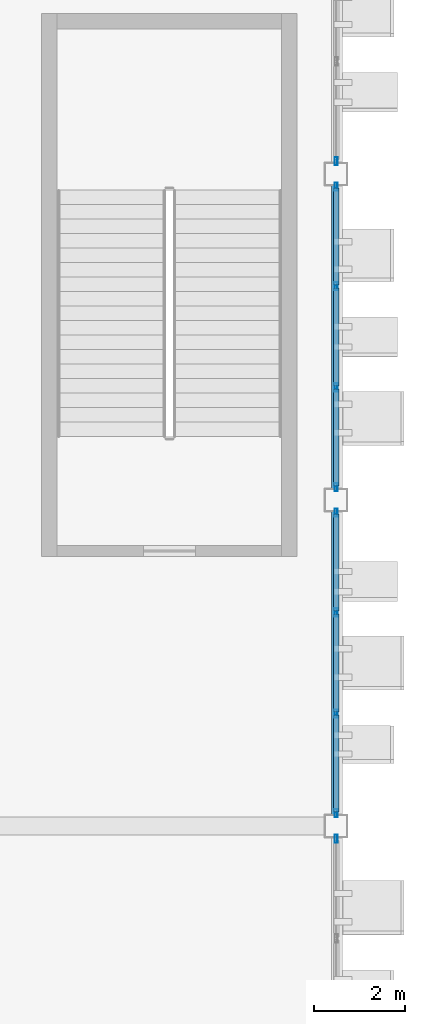
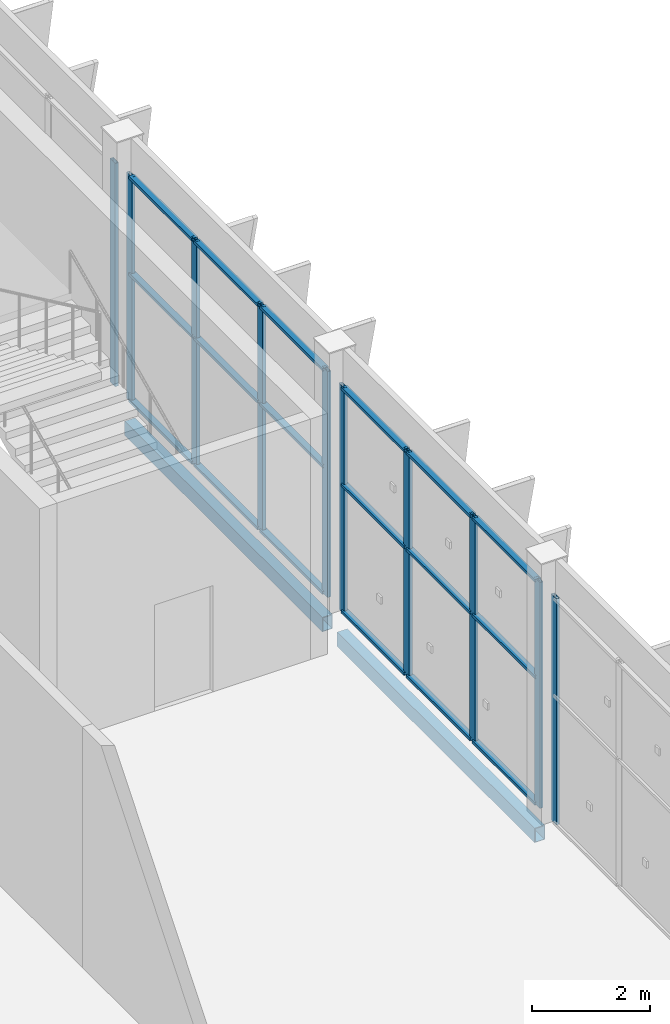
# One storey, part 109 of 189: 28 members, 2 beams, 4 elements without a shape of their own.
"""IFC4 building model written with IfcOpenShell, lengths in metres."""

from ifc_helpers import new_model, si_unit, direction, frame, origin, origin_2d, place, context, subcontext, project, spatial, hollow_rectangle, extrude, material, layer, layer_set, material_profile, profile_set, type_object, element, aggregate, save


model = new_model("IFC4")

# Units and contexts
model_context = context("Model", 3, precision=1e-05, world=origin(), true_north=direction((0.0, 1.0)))
body_context = subcontext(model_context, "Body", "Model", "MODEL_VIEW")
ifc_project = project(units=[si_unit("LENGTHUNIT", "METRE"), si_unit("AREAUNIT", "SQUARE_METRE"), si_unit("VOLUMEUNIT", "CUBIC_METRE"), si_unit("PLANEANGLEUNIT", "RADIAN"), si_unit("MASSUNIT", "GRAM", prefix="KILO")], contexts=[model_context])

# Site, building, storey
site_placement = place(None, origin())
site = spatial("IfcSite", under=ifc_project, at=site_placement, CompositionType="ELEMENT")
building_placement = place(site_placement, origin())
building = spatial("IfcBuilding", under=site, at=building_placement, Name="Celestram Park Convention Centre", CompositionType="ELEMENT")
storey_placement = place(building_placement, frame((0.0, 0.0, 5.39990234375)))
storey = spatial("IfcBuildingStorey", under=building, at=storey_placement, Name="L01", CompositionType="ELEMENT", Elevation=5.39990234375)

# Curtain wall, member
ifc_material_1 = material(Name="Anodised Aluminium Alloy 6063-T6", Category="aluminium")
ifc_layer_1 = layer(ifc_material_1, 0.179931640625)
ifc_layer_set_1 = layer_set([ifc_layer_1], Name="Anodised Aluminium Alloy 6063-T6")
curtain_wall_type_1 = type_object("IfcCurtainWallType", Name="ARC-CW-670X462", PredefinedType="NOTDEFINED", material=ifc_layer_set_1)
curtain_wall_1_placement = place(storey_placement, origin())
curtain_wall_1 = element("IfcCurtainWall", 1, at=curtain_wall_1_placement, inside=storey, type_object=curtain_wall_type_1, Name="Unitised curtain wall CU-L01-075", PredefinedType="NOTDEFINED")
ifc_material_profile_1 = material_profile(ifc_material_1, hollow_rectangle(XDim=0.06494140625, YDim=0.179931640625, WallThickness=0.00390625, at=origin_2d()), Name="ALU65X180X4")
ifc_profile_set_1 = profile_set([ifc_material_profile_1], Name="Anodised Aluminium Alloy 6063-T6")
member_type_1 = type_object("IfcMemberType", Name="ARC-CWM-150", PredefinedType="MULLION", material=ifc_profile_set_1)
member_1_placement = place(storey_placement, frame((216.0, 158.680419921875, 0.0), z_axis=(0.0, 0.0, 1.0), x_axis=(1.0, 0.0, 0.0)))
member_1 = element("IfcMember", 2, at=member_1_placement, type_object=member_type_1, Name="CW-67X46 mullion 4", PredefinedType="MULLION", context=body_context, shape_type="SweptSolid", body=[
    extrude(hollow_rectangle(XDim=0.06494140625, YDim=0.179931640625, WallThickness=0.00390625, at=origin_2d()), origin(), (0.0, 0.0, 1.0), 4.6240234375),
])
aggregate(curtain_wall_1, [member_1])

# Curtain wall, members
ifc_layer_2 = layer(ifc_material_1, 0.179931640625)
ifc_layer_set_2 = layer_set([ifc_layer_2], Name="Anodised Aluminium Alloy 6063-T6")
curtain_wall_type_2 = type_object("IfcCurtainWallType", Name="ARC-CW-670X468", PredefinedType="NOTDEFINED", material=ifc_layer_set_2)
curtain_wall_2_placement = place(storey_placement, origin())
curtain_wall_2 = element("IfcCurtainWall", 3, at=curtain_wall_2_placement, inside=storey, type_object=curtain_wall_type_2, Name="Unitised curtain wall CU-L01-076", PredefinedType="NOTDEFINED")
member_2_placement = place(storey_placement, frame((216.0, 158.119384765625, 0.0), z_axis=(0.0, 0.0, 1.0), x_axis=(1.0, 0.0, 0.0)))
member_2 = element("IfcMember", 4, at=member_2_placement, type_object=member_type_1, Name="CW-67X46 mullion 1", PredefinedType="MULLION", context=body_context, shape_type="SweptSolid", body=[
    extrude(hollow_rectangle(XDim=0.06494140625, YDim=0.179931640625, WallThickness=0.00390625, at=origin_2d()), origin(), (0.0, 0.0, 1.0), 4.68017578125),
])
member_3_placement = place(storey_placement, frame((216.0, 155.917236328125, 0.0), z_axis=(0.0, 0.0, 1.0), x_axis=(1.0, 0.0, 0.0)))
member_3 = element("IfcMember", 5, at=member_3_placement, type_object=member_type_1, Name="CW-67X46 mullion 2", PredefinedType="MULLION", context=body_context, shape_type="SweptSolid", body=[
    extrude(hollow_rectangle(XDim=0.06494140625, YDim=0.179931640625, WallThickness=0.00390625, at=origin_2d()), origin(), (0.0, 0.0, 1.0), 4.68017578125),
])
member_4_placement = place(storey_placement, frame((216.0, 153.6826171875, 0.0), z_axis=(0.0, 0.0, 1.0), x_axis=(1.0, 0.0, 0.0)))
member_4 = element("IfcMember", 6, at=member_4_placement, type_object=member_type_1, Name="CW-67X46 mullion 3", PredefinedType="MULLION", context=body_context, shape_type="SweptSolid", body=[
    extrude(hollow_rectangle(XDim=0.06494140625, YDim=0.179931640625, WallThickness=0.00390625, at=origin_2d()), origin(), (0.0, 0.0, 1.0), 4.68017578125),
])
member_5_placement = place(storey_placement, frame((216.0, 151.48046875, 0.0), z_axis=(0.0, 0.0, 1.0), x_axis=(1.0, 0.0, 0.0)))
member_5 = element("IfcMember", 7, at=member_5_placement, type_object=member_type_1, Name="CW-67X46 mullion 4", PredefinedType="MULLION", context=body_context, shape_type="SweptSolid", body=[
    extrude(hollow_rectangle(XDim=0.06494140625, YDim=0.179931640625, WallThickness=0.00390625, at=origin_2d()), origin(), (0.0, 0.0, 1.0), 4.68017578125),
])

curtain_wall_3_placement = place(storey_placement, origin())
curtain_wall_3 = element("IfcCurtainWall", 8, at=curtain_wall_3_placement, inside=storey, type_object=curtain_wall_type_2, Name="Unitised curtain wall CU-L01-077", PredefinedType="NOTDEFINED")
member_6_placement = place(storey_placement, frame((216.0, 150.91943359375, 0.0), z_axis=(0.0, 0.0, 1.0), x_axis=(1.0, 0.0, 0.0)))
member_6 = element("IfcMember", 9, at=member_6_placement, type_object=member_type_1, Name="CW-67X46 mullion 1", PredefinedType="MULLION", context=body_context, shape_type="SweptSolid", body=[
    extrude(hollow_rectangle(XDim=0.06494140625, YDim=0.179931640625, WallThickness=0.00390625, at=origin_2d()), origin(), (0.0, 0.0, 1.0), 4.68017578125),
])
member_7_placement = place(storey_placement, frame((216.0, 148.71728515625, 0.0), z_axis=(0.0, 0.0, 1.0), x_axis=(1.0, 0.0, 0.0)))
member_7 = element("IfcMember", 10, at=member_7_placement, type_object=member_type_1, Name="CW-67X46 mullion 2", PredefinedType="MULLION", context=body_context, shape_type="SweptSolid", body=[
    extrude(hollow_rectangle(XDim=0.06494140625, YDim=0.179931640625, WallThickness=0.00390625, at=origin_2d()), origin(), (0.0, 0.0, 1.0), 4.68017578125),
])
member_8_placement = place(storey_placement, frame((216.0, 146.482666015625, 0.0), z_axis=(0.0, 0.0, 1.0), x_axis=(1.0, 0.0, 0.0)))
member_8 = element("IfcMember", 11, at=member_8_placement, type_object=member_type_1, Name="CW-67X46 mullion 3", PredefinedType="MULLION", context=body_context, shape_type="SweptSolid", body=[
    extrude(hollow_rectangle(XDim=0.06494140625, YDim=0.179931640625, WallThickness=0.00390625, at=origin_2d()), origin(), (0.0, 0.0, 1.0), 4.68017578125),
])
member_9_placement = place(storey_placement, frame((216.0, 144.280517578125, 0.0), z_axis=(0.0, 0.0, 1.0), x_axis=(1.0, 0.0, 0.0)))
member_9 = element("IfcMember", 12, at=member_9_placement, type_object=member_type_1, Name="CW-67X46 mullion 4", PredefinedType="MULLION", context=body_context, shape_type="SweptSolid", body=[
    extrude(hollow_rectangle(XDim=0.06494140625, YDim=0.179931640625, WallThickness=0.00390625, at=origin_2d()), origin(), (0.0, 0.0, 1.0), 4.68017578125),
])

# Curtain wall, member
curtain_wall_4_placement = place(storey_placement, origin())
curtain_wall_4 = element("IfcCurtainWall", 13, at=curtain_wall_4_placement, inside=storey, type_object=curtain_wall_type_2, Name="Unitised curtain wall CU-L01-078", PredefinedType="NOTDEFINED")
member_10_placement = place(storey_placement, frame((216.0, 143.719482421875, 0.0), z_axis=(0.0, 0.0, 1.0), x_axis=(1.0, 0.0, 0.0)))
member_10 = element("IfcMember", 14, at=member_10_placement, type_object=member_type_1, Name="CW-67X46 mullion 1", PredefinedType="MULLION", context=body_context, shape_type="SweptSolid", body=[
    extrude(hollow_rectangle(XDim=0.06494140625, YDim=0.179931640625, WallThickness=0.00390625, at=origin_2d()), origin(), (0.0, 0.0, 1.0), 4.68017578125),
])
aggregate(curtain_wall_4, [member_10])

# Member
ifc_material_profile_2 = material_profile(ifc_material_1, hollow_rectangle(XDim=0.1201171875, YDim=0.06005859375, WallThickness=0.0029296875, at=origin_2d()), Name="ALU120X60X3")
ifc_profile_set_2 = profile_set([ifc_material_profile_2], Name="Anodised Aluminium Alloy 6063-T6")
member_type_2 = type_object("IfcMemberType", Name="ARC-CWT-120", PredefinedType="USERDEFINED", material=ifc_profile_set_2)
member_11_placement = place(storey_placement, frame((216.0, 158.0869140625, 0.030029296875), z_axis=(0.0, -1.0, 0.0), x_axis=(1.0, 0.0, 0.0)))
member_11 = element("IfcMember", 15, at=member_11_placement, type_object=member_type_2, Name="CW-67X46 transom 1.1", ObjectType="TRANSOM", PredefinedType="USERDEFINED", context=body_context, shape_type="SweptSolid", body=[
    extrude(hollow_rectangle(XDim=0.1201171875, YDim=0.06005859375, WallThickness=0.0029296875, at=origin_2d()), origin(), (0.0, 0.0, 1.0), 2.136962890625),
])

member_12_placement = place(storey_placement, frame((216.0, 158.0869140625, 2.650146484375), z_axis=(0.0, -1.0, 0.0), x_axis=(1.0, 0.0, 0.0)))
member_12 = element("IfcMember", 16, at=member_12_placement, type_object=member_type_2, Name="CW-67X46 transom 1.2", ObjectType="TRANSOM", PredefinedType="USERDEFINED", context=body_context, shape_type="SweptSolid", body=[
    extrude(hollow_rectangle(XDim=0.1201171875, YDim=0.06005859375, WallThickness=0.0029296875, at=origin_2d()), origin(), (0.0, 0.0, 1.0), 2.136962890625),
])

member_13_placement = place(storey_placement, frame((216.0, 158.0869140625, 4.650146484375), z_axis=(0.0, -1.0, 0.0), x_axis=(1.0, 0.0, 0.0)))
member_13 = element("IfcMember", 17, at=member_13_placement, type_object=member_type_2, Name="CW-67X46 transom 1.3", ObjectType="TRANSOM", PredefinedType="USERDEFINED", context=body_context, shape_type="SweptSolid", body=[
    extrude(hollow_rectangle(XDim=0.1201171875, YDim=0.06005859375, WallThickness=0.0029296875, at=origin_2d()), origin(), (0.0, 0.0, 1.0), 2.136962890625),
])

member_14_placement = place(storey_placement, frame((216.0, 155.884765625, 0.030029296875), z_axis=(0.0, -1.0, 0.0), x_axis=(1.0, 0.0, 0.0)))
member_14 = element("IfcMember", 18, at=member_14_placement, type_object=member_type_2, Name="CW-67X46 transom 2.1", ObjectType="TRANSOM", PredefinedType="USERDEFINED", context=body_context, shape_type="SweptSolid", body=[
    extrude(hollow_rectangle(XDim=0.1201171875, YDim=0.06005859375, WallThickness=0.0029296875, at=origin_2d()), origin(), (0.0, 0.0, 1.0), 2.169677734375),
])

member_15_placement = place(storey_placement, frame((216.0, 155.884765625, 2.650146484375), z_axis=(0.0, -1.0, 0.0), x_axis=(1.0, 0.0, 0.0)))
member_15 = element("IfcMember", 19, at=member_15_placement, type_object=member_type_2, Name="CW-67X46 transom 2.2", ObjectType="TRANSOM", PredefinedType="USERDEFINED", context=body_context, shape_type="SweptSolid", body=[
    extrude(hollow_rectangle(XDim=0.1201171875, YDim=0.06005859375, WallThickness=0.0029296875, at=origin_2d()), origin(), (0.0, 0.0, 1.0), 2.169677734375),
])

member_16_placement = place(storey_placement, frame((216.0, 155.884765625, 4.650146484375), z_axis=(0.0, -1.0, 0.0), x_axis=(1.0, 0.0, 0.0)))
member_16 = element("IfcMember", 20, at=member_16_placement, type_object=member_type_2, Name="CW-67X46 transom 2.3", ObjectType="TRANSOM", PredefinedType="USERDEFINED", context=body_context, shape_type="SweptSolid", body=[
    extrude(hollow_rectangle(XDim=0.1201171875, YDim=0.06005859375, WallThickness=0.0029296875, at=origin_2d()), origin(), (0.0, 0.0, 1.0), 2.169677734375),
])

member_17_placement = place(storey_placement, frame((216.0, 153.650146484375, 0.030029296875), z_axis=(0.0, -1.0, 0.0), x_axis=(1.0, 0.0, 0.0)))
member_17 = element("IfcMember", 21, at=member_17_placement, type_object=member_type_2, Name="CW-67X46 transom 3.1", ObjectType="TRANSOM", PredefinedType="USERDEFINED", context=body_context, shape_type="SweptSolid", body=[
    extrude(hollow_rectangle(XDim=0.1201171875, YDim=0.06005859375, WallThickness=0.0029296875, at=origin_2d()), origin(), (0.0, 0.0, 1.0), 2.13720703125),
])

member_18_placement = place(storey_placement, frame((216.0, 153.650146484375, 2.650146484375), z_axis=(0.0, -1.0, 0.0), x_axis=(1.0, 0.0, 0.0)))
member_18 = element("IfcMember", 22, at=member_18_placement, type_object=member_type_2, Name="CW-67X46 transom 3.2", ObjectType="TRANSOM", PredefinedType="USERDEFINED", context=body_context, shape_type="SweptSolid", body=[
    extrude(hollow_rectangle(XDim=0.1201171875, YDim=0.06005859375, WallThickness=0.0029296875, at=origin_2d()), origin(), (0.0, 0.0, 1.0), 2.13720703125),
])

member_19_placement = place(storey_placement, frame((216.0, 153.650146484375, 4.650146484375), z_axis=(0.0, -1.0, 0.0), x_axis=(1.0, 0.0, 0.0)))
member_19 = element("IfcMember", 23, at=member_19_placement, type_object=member_type_2, Name="CW-67X46 transom 3.3", ObjectType="TRANSOM", PredefinedType="USERDEFINED", context=body_context, shape_type="SweptSolid", body=[
    extrude(hollow_rectangle(XDim=0.1201171875, YDim=0.06005859375, WallThickness=0.0029296875, at=origin_2d()), origin(), (0.0, 0.0, 1.0), 2.13720703125),
])

aggregate(curtain_wall_2, [member_2, member_3, member_4, member_5, member_11, member_12, member_13, member_14, member_15, member_16, member_17, member_18, member_19])

member_20_placement = place(storey_placement, frame((216.0, 150.886962890625, 0.030029296875), z_axis=(0.0, -1.0, 0.0), x_axis=(1.0, 0.0, 0.0)))
member_20 = element("IfcMember", 24, at=member_20_placement, type_object=member_type_2, Name="CW-67X46 transom 1.1", ObjectType="TRANSOM", PredefinedType="USERDEFINED", context=body_context, shape_type="SweptSolid", body=[
    extrude(hollow_rectangle(XDim=0.1201171875, YDim=0.06005859375, WallThickness=0.0029296875, at=origin_2d()), origin(), (0.0, 0.0, 1.0), 2.13720703125),
])

member_21_placement = place(storey_placement, frame((216.0, 150.886962890625, 2.650146484375), z_axis=(0.0, -1.0, 0.0), x_axis=(1.0, 0.0, 0.0)))
member_21 = element("IfcMember", 25, at=member_21_placement, type_object=member_type_2, Name="CW-67X46 transom 1.2", ObjectType="TRANSOM", PredefinedType="USERDEFINED", context=body_context, shape_type="SweptSolid", body=[
    extrude(hollow_rectangle(XDim=0.1201171875, YDim=0.06005859375, WallThickness=0.0029296875, at=origin_2d()), origin(), (0.0, 0.0, 1.0), 2.13720703125),
])

member_22_placement = place(storey_placement, frame((216.0, 150.886962890625, 4.650146484375), z_axis=(0.0, -1.0, 0.0), x_axis=(1.0, 0.0, 0.0)))
member_22 = element("IfcMember", 26, at=member_22_placement, type_object=member_type_2, Name="CW-67X46 transom 1.3", ObjectType="TRANSOM", PredefinedType="USERDEFINED", context=body_context, shape_type="SweptSolid", body=[
    extrude(hollow_rectangle(XDim=0.1201171875, YDim=0.06005859375, WallThickness=0.0029296875, at=origin_2d()), origin(), (0.0, 0.0, 1.0), 2.13720703125),
])

member_23_placement = place(storey_placement, frame((216.0, 148.684814453125, 0.030029296875), z_axis=(0.0, -1.0, 0.0), x_axis=(1.0, 0.0, 0.0)))
member_23 = element("IfcMember", 27, at=member_23_placement, type_object=member_type_2, Name="CW-67X46 transom 2.1", ObjectType="TRANSOM", PredefinedType="USERDEFINED", context=body_context, shape_type="SweptSolid", body=[
    extrude(hollow_rectangle(XDim=0.1201171875, YDim=0.06005859375, WallThickness=0.0029296875, at=origin_2d()), origin(), (0.0, 0.0, 1.0), 2.169677734375),
])

member_24_placement = place(storey_placement, frame((216.0, 148.684814453125, 2.650146484375), z_axis=(0.0, -1.0, 0.0), x_axis=(1.0, 0.0, 0.0)))
member_24 = element("IfcMember", 28, at=member_24_placement, type_object=member_type_2, Name="CW-67X46 transom 2.2", ObjectType="TRANSOM", PredefinedType="USERDEFINED", context=body_context, shape_type="SweptSolid", body=[
    extrude(hollow_rectangle(XDim=0.1201171875, YDim=0.06005859375, WallThickness=0.0029296875, at=origin_2d()), origin(), (0.0, 0.0, 1.0), 2.169677734375),
])

member_25_placement = place(storey_placement, frame((216.0, 148.684814453125, 4.650146484375), z_axis=(0.0, -1.0, 0.0), x_axis=(1.0, 0.0, 0.0)))
member_25 = element("IfcMember", 29, at=member_25_placement, type_object=member_type_2, Name="CW-67X46 transom 2.3", ObjectType="TRANSOM", PredefinedType="USERDEFINED", context=body_context, shape_type="SweptSolid", body=[
    extrude(hollow_rectangle(XDim=0.1201171875, YDim=0.06005859375, WallThickness=0.0029296875, at=origin_2d()), origin(), (0.0, 0.0, 1.0), 2.169677734375),
])

member_26_placement = place(storey_placement, frame((216.0, 146.4501953125, 0.030029296875), z_axis=(0.0, -1.0, 0.0), x_axis=(1.0, 0.0, 0.0)))
member_26 = element("IfcMember", 30, at=member_26_placement, type_object=member_type_2, Name="CW-67X46 transom 3.1", ObjectType="TRANSOM", PredefinedType="USERDEFINED", context=body_context, shape_type="SweptSolid", body=[
    extrude(hollow_rectangle(XDim=0.1201171875, YDim=0.06005859375, WallThickness=0.0029296875, at=origin_2d()), origin(), (0.0, 0.0, 1.0), 2.13720703125),
])

member_27_placement = place(storey_placement, frame((216.0, 146.4501953125, 2.650146484375), z_axis=(0.0, -1.0, 0.0), x_axis=(1.0, 0.0, 0.0)))
member_27 = element("IfcMember", 31, at=member_27_placement, type_object=member_type_2, Name="CW-67X46 transom 3.2", ObjectType="TRANSOM", PredefinedType="USERDEFINED", context=body_context, shape_type="SweptSolid", body=[
    extrude(hollow_rectangle(XDim=0.1201171875, YDim=0.06005859375, WallThickness=0.0029296875, at=origin_2d()), origin(), (0.0, 0.0, 1.0), 2.13720703125),
])

member_28_placement = place(storey_placement, frame((216.0, 146.4501953125, 4.650146484375), z_axis=(0.0, -1.0, 0.0), x_axis=(1.0, 0.0, 0.0)))
member_28 = element("IfcMember", 32, at=member_28_placement, type_object=member_type_2, Name="CW-67X46 transom 3.3", ObjectType="TRANSOM", PredefinedType="USERDEFINED", context=body_context, shape_type="SweptSolid", body=[
    extrude(hollow_rectangle(XDim=0.1201171875, YDim=0.06005859375, WallThickness=0.0029296875, at=origin_2d()), origin(), (0.0, 0.0, 1.0), 2.13720703125),
])

aggregate(curtain_wall_3, [member_6, member_7, member_8, member_9, member_20, member_21, member_22, member_23, member_24, member_25, member_26, member_27, member_28])

# Beams
ifc_material_2 = material(Name="Steel ASTM A500 Grade C", Category="steel")
ifc_material_profile_3 = material_profile(ifc_material_2, hollow_rectangle(XDim=0.199951171875, YDim=0.300048828125, WallThickness=0.011962890625, at=origin_2d()), Name="HSS300X200X12")
ifc_profile_set_3 = profile_set([ifc_material_profile_3], Name="Steel ASTM A500 Grade C")
beam_type = type_object("IfcBeamType", Name="STR-SPN-HSS300X200", PredefinedType="SPANDREL", material=ifc_profile_set_3)
beam_1_placement = place(storey_placement, frame((216.0, 144.248046875, -0.56982421875), z_axis=(0.0, 1.0, 0.0), x_axis=(-1.0, 0.0, 0.0)))
element("IfcBeam", 33, at=beam_1_placement, inside=storey, type_object=beam_type, Name="Primary Y-girder BG-L01-0542", PredefinedType="SPANDREL", context=body_context, shape_type="SweptSolid", body=[
    extrude(hollow_rectangle(XDim=0.199951171875, YDim=0.300048828125, WallThickness=0.011962890625, at=origin_2d()), origin(), (0.0, 0.0, 1.0), 6.703857421875),
])
beam_2_placement = place(storey_placement, frame((216.0, 151.447998046875, -0.56982421875), z_axis=(0.0, 1.0, 0.0), x_axis=(-1.0, 0.0, 0.0)))
element("IfcBeam", 34, at=beam_2_placement, inside=storey, type_object=beam_type, Name="Primary Y-girder BG-L01-0543", PredefinedType="SPANDREL", context=body_context, shape_type="SweptSolid", body=[
    extrude(hollow_rectangle(XDim=0.199951171875, YDim=0.300048828125, WallThickness=0.011962890625, at=origin_2d()), origin(), (0.0, 0.0, 1.0), 6.7041015625),
])

save(model, "model.ifc")
